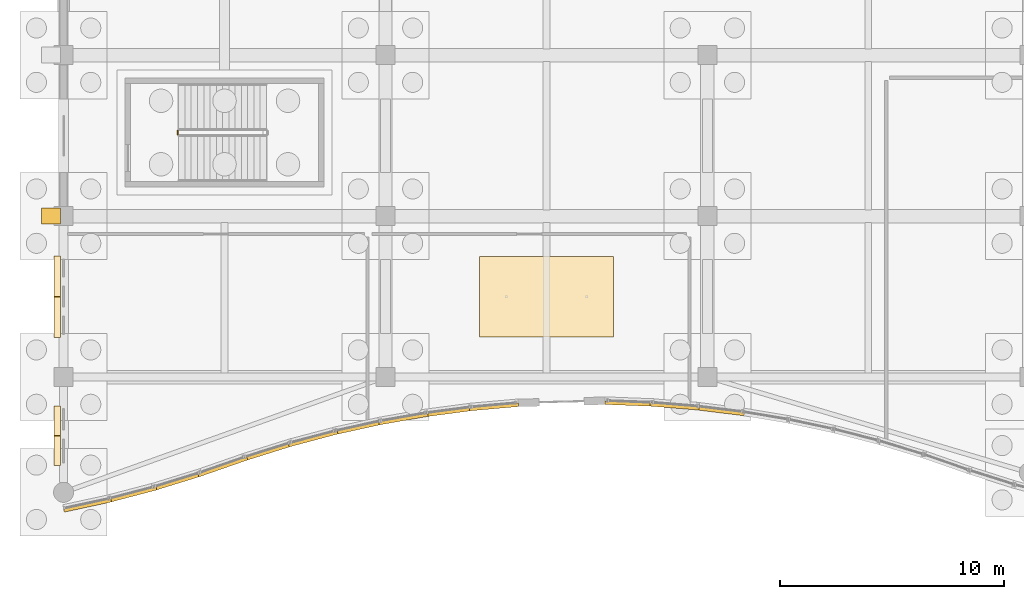
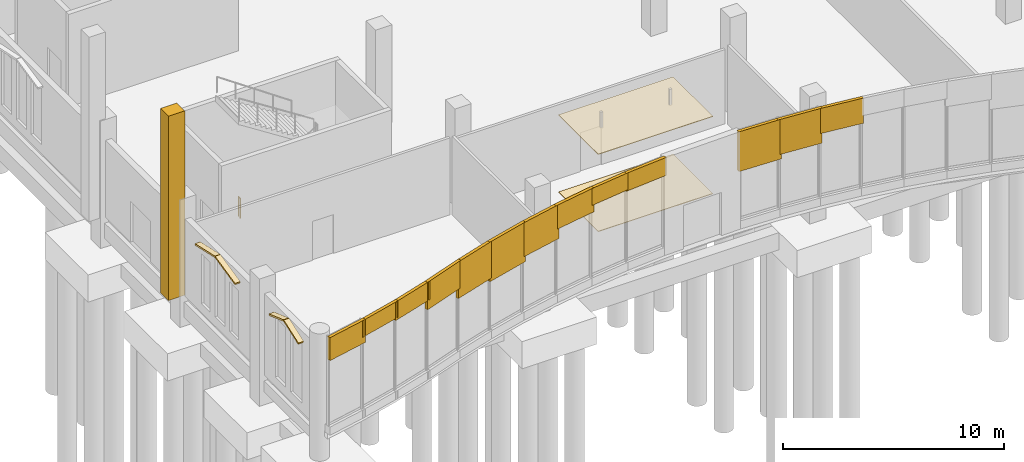
# One storey, part 170 of 192: 20 coverings, 1 railing.
"""IFC4 building model written with IfcOpenShell, lengths in metres."""

from ifc_helpers import new_model, si_unit, direction, frame, origin, origin_2d, place, context, subcontext, project, spatial, polyline, circle, outline, extrude, material, layer, layer_set, type_object, element, save


model = new_model("IFC4")

# Units and contexts
model_context = context("Model", 3, precision=1e-05, world=origin(), true_north=direction((0.0, 1.0)))
body_context = subcontext(model_context, "Body", "Model", "MODEL_VIEW")
ifc_project = project(units=[si_unit("LENGTHUNIT", "METRE"), si_unit("AREAUNIT", "SQUARE_METRE"), si_unit("VOLUMEUNIT", "CUBIC_METRE"), si_unit("PLANEANGLEUNIT", "RADIAN"), si_unit("MASSUNIT", "GRAM", prefix="KILO")], contexts=[model_context])

# Site, building, storey
site_placement = place(None, origin())
site = spatial("IfcSite", under=ifc_project, at=site_placement, CompositionType="ELEMENT")
building_placement = place(site_placement, origin())
building = spatial("IfcBuilding", under=site, at=building_placement, Name="Cendralis Lancet Convention Centre", CompositionType="ELEMENT")
storey_placement = place(building_placement, origin())
storey = spatial("IfcBuildingStorey", under=building, at=storey_placement, Name="L00", CompositionType="ELEMENT", Elevation=0.0)

# Coverings
ifc_material_1 = material(Name="Warm buff sandstone chevron cassette", Category="masonry")
ifc_layer_1 = layer(ifc_material_1, 0.06005859375, Name="Warm buff sandstone chevron cassette")
ifc_layer_set_1 = layer_set([ifc_layer_1], Name="Warm buff sandstone chevron cassette")
covering_type_1 = type_object("IfcCoveringType", Name="ARC-CV-CLAD1", PredefinedType="CLADDING", material=ifc_layer_set_1)
covering_1_placement = place(storey_placement, frame((0.0, 0.0, 4.1279296875)))
element("IfcCovering", 1, at=covering_1_placement, inside=storey, type_object=covering_type_1, Name="South Wave Stone Spandrel Fascia WP-001-WP-002", PredefinedType="CLADDING", context=body_context, shape_type="SweptSolid", body=[
    extrude(outline(polyline([(0.035888671875, 1.15869140625), (2.14404296875, 1.61474609375), (2.110107421875, 1.771240234375), (0.002197265625, 1.315185546875), (0.035888671875, 1.15869140625)])), origin(), (0.0, 0.0, 1.0), 1.27197265625),
])
covering_2_placement = place(storey_placement, frame((0.0, 0.0, 4.48193359375)))
element("IfcCovering", 2, at=covering_2_placement, inside=storey, type_object=covering_type_1, Name="South Wave Stone Spandrel Fascia WP-002-WP-003", PredefinedType="CLADDING", context=body_context, shape_type="SweptSolid", body=[
    extrude(outline(polyline([(1.98583984375, 1.576904296875), (4.17529296875, 2.151123046875), (4.134765625, 2.305908203125), (1.9453125, 1.731689453125), (1.98583984375, 1.576904296875)])), origin(), (0.0, 0.0, 1.0), 0.91796875),
])
covering_3_placement = place(storey_placement, frame((0.0, 0.0, 4.373046875)))
element("IfcCovering", 3, at=covering_3_placement, inside=storey, type_object=covering_type_1, Name="South Wave Stone Spandrel Fascia WP-003-WP-004", PredefinedType="CLADDING", context=body_context, shape_type="SweptSolid", body=[
    extrude(outline(polyline([(4.01904296875, 2.1064453125), (6.20751953125, 2.78369140625), (6.16015625, 2.9365234375), (3.9716796875, 2.25927734375), (4.01904296875, 2.1064453125)])), origin(), (0.0, 0.0, 1.0), 1.02685546875),
])
covering_4_placement = place(storey_placement, frame((0.0, 0.0, 3.881103515625)))
element("IfcCovering", 4, at=covering_4_placement, inside=storey, type_object=covering_type_1, Name="South Wave Stone Spandrel Fascia WP-004-WP-005", PredefinedType="CLADDING", context=body_context, shape_type="SweptSolid", body=[
    extrude(outline(polyline([(6.051513671875, 2.732666015625), (8.2373046875, 3.493408203125), (8.1845703125, 3.64453125), (5.9990234375, 2.8837890625), (6.051513671875, 2.732666015625)])), origin(), (0.0, 0.0, 1.0), 1.518798828125),
])
covering_5_placement = place(storey_placement, frame((0.0, 0.0, 3.366943359375)))
element("IfcCovering", 5, at=covering_5_placement, inside=storey, type_object=covering_type_1, Name="South Wave Stone Spandrel Fascia WP-005-WP-006", PredefinedType="CLADDING", context=body_context, shape_type="SweptSolid", body=[
    extrude(outline(polyline([(8.07080078125, 3.4384765625), (10.2578125, 4.123291015625), (10.210205078125, 4.27587890625), (8.02294921875, 3.591064453125), (8.07080078125, 3.4384765625)])), origin(), (0.0, 0.0, 1.0), 2.032958984375),
])
covering_6_placement = place(storey_placement, frame((0.0, 0.0, 3.20703125)))
element("IfcCovering", 6, at=covering_6_placement, inside=storey, type_object=covering_type_1, Name="South Wave Stone Spandrel Fascia WP-006-WP-007", PredefinedType="CLADDING", context=body_context, shape_type="SweptSolid", body=[
    extrude(outline(polyline([(10.08740234375, 4.073974609375), (12.27685546875, 4.655517578125), (12.23583984375, 4.81005859375), (10.04638671875, 4.228515625), (10.08740234375, 4.073974609375)])), origin(), (0.0, 0.0, 1.0), 2.19287109375),
])
covering_7_placement = place(storey_placement, frame((0.0, 0.0, 3.51611328125)))
element("IfcCovering", 7, at=covering_7_placement, inside=storey, type_object=covering_type_1, Name="South Wave Stone Spandrel Fascia WP-007-WP-008", PredefinedType="CLADDING", context=body_context, shape_type="SweptSolid", body=[
    extrude(outline(polyline([(12.1044921875, 4.61376953125), (14.29638671875, 5.09521484375), (14.26220703125, 5.25146484375), (12.070068359375, 4.77001953125), (12.1044921875, 4.61376953125)])), origin(), (0.0, 0.0, 1.0), 1.8837890625),
])
covering_8_placement = place(storey_placement, frame((0.0, 0.0, 4.070068359375)))
element("IfcCovering", 8, at=covering_8_placement, inside=storey, type_object=covering_type_1, Name="South Wave Stone Spandrel Fascia WP-008-WP-009", PredefinedType="CLADDING", context=body_context, shape_type="SweptSolid", body=[
    extrude(outline(polyline([(14.122802734375, 5.060791015625), (16.315185546875, 5.4453125), (16.287353515625, 5.602783203125), (14.094970703125, 5.218505859375), (14.122802734375, 5.060791015625)])), origin(), (0.0, 0.0, 1.0), 1.329833984375),
])
covering_9_placement = place(storey_placement, frame((0.0, 0.0, 4.462890625)))
element("IfcCovering", 9, at=covering_9_placement, inside=storey, type_object=covering_type_1, Name="South Wave Stone Spandrel Fascia WP-009-WP-010", PredefinedType="CLADDING", context=body_context, shape_type="SweptSolid", body=[
    extrude(outline(polyline([(16.139892578125, 5.418212890625), (18.33349609375, 5.70654296875), (18.3125, 5.865234375), (16.118896484375, 5.576904296875), (16.139892578125, 5.418212890625)])), origin(), (0.0, 0.0, 1.0), 0.93701171875),
])
covering_10_placement = place(storey_placement, frame((0.0, 0.0, 4.406982421875)))
element("IfcCovering", 10, at=covering_10_placement, inside=storey, type_object=covering_type_1, Name="South Wave Stone Spandrel Fascia WP-010-WP-011", PredefinedType="CLADDING", context=body_context, shape_type="SweptSolid", body=[
    extrude(outline(polyline([(18.1572265625, 5.687255859375), (20.351806640625, 5.881103515625), (20.337646484375, 6.04052734375), (18.143310546875, 5.846435546875), (18.1572265625, 5.687255859375)])), origin(), (0.0, 0.0, 1.0), 0.992919921875),
])
covering_11_placement = place(storey_placement, frame((0.0, 0.0, 3.199951171875)))
element("IfcCovering", 11, at=covering_11_placement, inside=storey, type_object=covering_type_1, Name="South Wave Stone Spandrel Fascia WP-013-WP-014", PredefinedType="CLADDING", context=body_context, shape_type="SweptSolid", body=[
    extrude(outline(polyline([(24.21142578125, 5.976318359375), (26.40625, 5.890869140625), (26.41259765625, 6.05078125), (24.2177734375, 6.13623046875), (24.21142578125, 5.976318359375)])), origin(), (0.0, 0.0, 1.0), 2.199951171875),
])
covering_12_placement = place(storey_placement, frame((0.0, 0.0, 3.4619140625)))
element("IfcCovering", 12, at=covering_12_placement, inside=storey, type_object=covering_type_1, Name="South Wave Stone Spandrel Fascia WP-014-WP-015", PredefinedType="CLADDING", context=body_context, shape_type="SweptSolid", body=[
    extrude(outline(polyline([(26.2294921875, 5.901611328125), (28.424072265625, 5.7236328125), (28.43701171875, 5.883056640625), (26.242431640625, 6.060791015625), (26.2294921875, 5.901611328125)])), origin(), (0.0, 0.0, 1.0), 1.93798828125),
])
covering_13_placement = place(storey_placement, frame((0.0, 0.0, 4.008056640625)))
element("IfcCovering", 13, at=covering_13_placement, inside=storey, type_object=covering_type_1, Name="South Wave Stone Spandrel Fascia WP-015-WP-016", PredefinedType="CLADDING", context=body_context, shape_type="SweptSolid", body=[
    extrude(outline(polyline([(28.247802734375, 5.74169921875), (30.44140625, 5.4697265625), (30.461181640625, 5.628662109375), (28.267333984375, 5.900634765625), (28.247802734375, 5.74169921875)])), origin(), (0.0, 0.0, 1.0), 1.391845703125),
])
for number, where, z_axis, x_axis, name in (
    (14, (-0.419921875, 3.235107421875, 4.0), (0.0, -0.336380197565, 0.941726267387), (1.0, 0.0, 0.0), "L00 Gothic Pointed Lancet Hood-Mould #0231L"),
    (15, (-0.419921875, 4.585205078125, 4.47509765625), (0.0, 0.336380197565, 0.941726267387), (1.0, 0.0, 0.0), "L00 Gothic Pointed Lancet Hood-Mould #0232R"),
):
    element("IfcCovering", number, at=place(storey_placement, frame(where, z_axis=z_axis, x_axis=x_axis)), inside=storey, type_object=covering_type_1, Name=name, PredefinedType="CLADDING", context=body_context, shape_type="SweptSolid", body=[
        extrude(outline(polyline([(0.0, 0.0), (0.284912109375, 0.0), (0.284912109375, 1.412382951461026), (0.0, 1.412382951461026), (0.0, 0.0)])), origin(), (0.0, 0.0, -1.0), 0.090087890625),
    ])
for number, where, z_axis, x_axis, name in (
    (16, (-0.419921875, 8.97998046875, 3.820068359375), (0.0, -0.218365708949, 0.975867007924), (1.0, 0.0, 0.0), "L00 Gothic Pointed Lancet Hood-Mould #0233L"),
    (17, (-0.419921875, 10.81005859375, 4.22509765625), (0.0, 0.218365708949, 0.975867007924), (1.0, 0.0, 0.0), "L00 Gothic Pointed Lancet Hood-Mould #0234R"),
):
    element("IfcCovering", number, at=place(storey_placement, frame(where, z_axis=z_axis, x_axis=x_axis)), inside=storey, type_object=covering_type_1, Name=name, PredefinedType="CLADDING", context=body_context, shape_type="SweptSolid", body=[
        extrude(outline(polyline([(0.0, 0.0), (0.284912109375, 0.0), (0.284912109375, 1.8548209736077723), (0.0, 1.8548209736077723), (0.0, 0.0)])), origin(), (0.0, 0.0, -1.0), 0.090087890625),
    ])
covering_14_placement = place(storey_placement, origin())
element("IfcCovering", 18, at=covering_14_placement, inside=storey, type_object=covering_type_1, Name="Gothic Stepped Stone Buttress Base #0077", PredefinedType="CLADDING", context=body_context, shape_type="SweptSolid", body=[
    extrude(outline(polyline([(-0.97998046875, 14.760009765625), (-0.97998046875, 14.0400390625), (-0.1298828125, 14.0400390625), (-0.1298828125, 14.760009765625), (-0.97998046875, 14.760009765625)])), origin(), (0.0, 0.0, 1.0), 10.199951171875),
])
ifc_material_2 = material(Name="Perforated acoustic mineral-wood ceiling", Category="wood")
ifc_layer_2 = layer(ifc_material_2, 0.030029296875, Name="Perforated acoustic mineral-wood ceiling")
ifc_layer_set_2 = layer_set([ifc_layer_2], Name="Perforated acoustic mineral-wood ceiling")
covering_type_2 = type_object("IfcCoveringType", Name="ARC-CV-CLG1", PredefinedType="CEILING", material=ifc_layer_set_2)
covering_15_placement = place(storey_placement, frame((0.0, 0.0, 4.27001953125)))
element("IfcCovering", 19, at=covering_15_placement, inside=storey, type_object=covering_type_2, Name="L00 Acoustic Suspended Ceiling CL-ACS #01", PredefinedType="CEILING", context=body_context, shape_type="SweptSolid", body=[
    extrude(outline(polyline([(18.60009765625, 9.0), (24.60009765625, 9.0), (24.60009765625, 12.60009765625), (18.60009765625, 12.60009765625), (18.60009765625, 9.0)])), origin(), (0.0, 0.0, 1.0), 0.030029296875),
])
ifc_material_3 = material(Name="Polished Andean granite terrazzo flooring", Category="masonry")
ifc_layer_3 = layer(ifc_material_3, 0.030029296875, Name="Polished Andean granite terrazzo flooring")
ifc_layer_set_3 = layer_set([ifc_layer_3], Name="Polished Andean granite terrazzo flooring")
covering_type_3 = type_object("IfcCoveringType", Name="ARC-CV-FLR1", PredefinedType="FLOORING", material=ifc_layer_set_3)
covering_16_placement = place(storey_placement, origin())
element("IfcCovering", 20, at=covering_16_placement, inside=storey, type_object=covering_type_3, Name="L00 Terrazzo Concourse Flooring FL-TRZ #01", PredefinedType="FLOORING", context=body_context, shape_type="SweptSolid", body=[
    extrude(outline(polyline([(18.60009765625, 9.0), (24.60009765625, 9.0), (24.60009765625, 12.60009765625), (18.60009765625, 12.60009765625), (18.60009765625, 9.0)])), origin(), (0.0, 0.0, 1.0), 0.030029296875),
])

# Railing
ifc_material_4 = material(Name="Steel S355", Category="steel")
railing_type = type_object("IfcRailingType", Name="ARC-RL-CGD", PredefinedType="GUARDRAIL", material=ifc_material_4)
railing_placement = place(storey_placement, frame((5.10009765625, 18.050048828125, 0.0)))
element("IfcRailing", 21, at=railing_placement, inside=storey, type_object=railing_type, Name="L00 ST-17 stair guard 4", PredefinedType="GUARDRAIL", context=body_context, shape_type="SweptSolid", body=[
    extrude(circle(Radius=0.02392578125, at=origin_2d()), frame((0.0, 0.0, 1.076171875), z_axis=(0.0, 1.0, 0.0), x_axis=(-1.0, 0.0, 0.0)), (0.0, 0.0, 1.0), 0.179931640625),
    extrude(circle(Radius=0.02099609375, at=origin_2d()), origin(), (0.0, 0.0, 1.0), 1.052001953125),
    extrude(circle(Radius=0.02099609375, at=origin_2d()), frame((0.0, 0.179931640625, 0.0)), (0.0, 0.0, 1.0), 1.052001953125),
])

save(model, "model.ifc")
